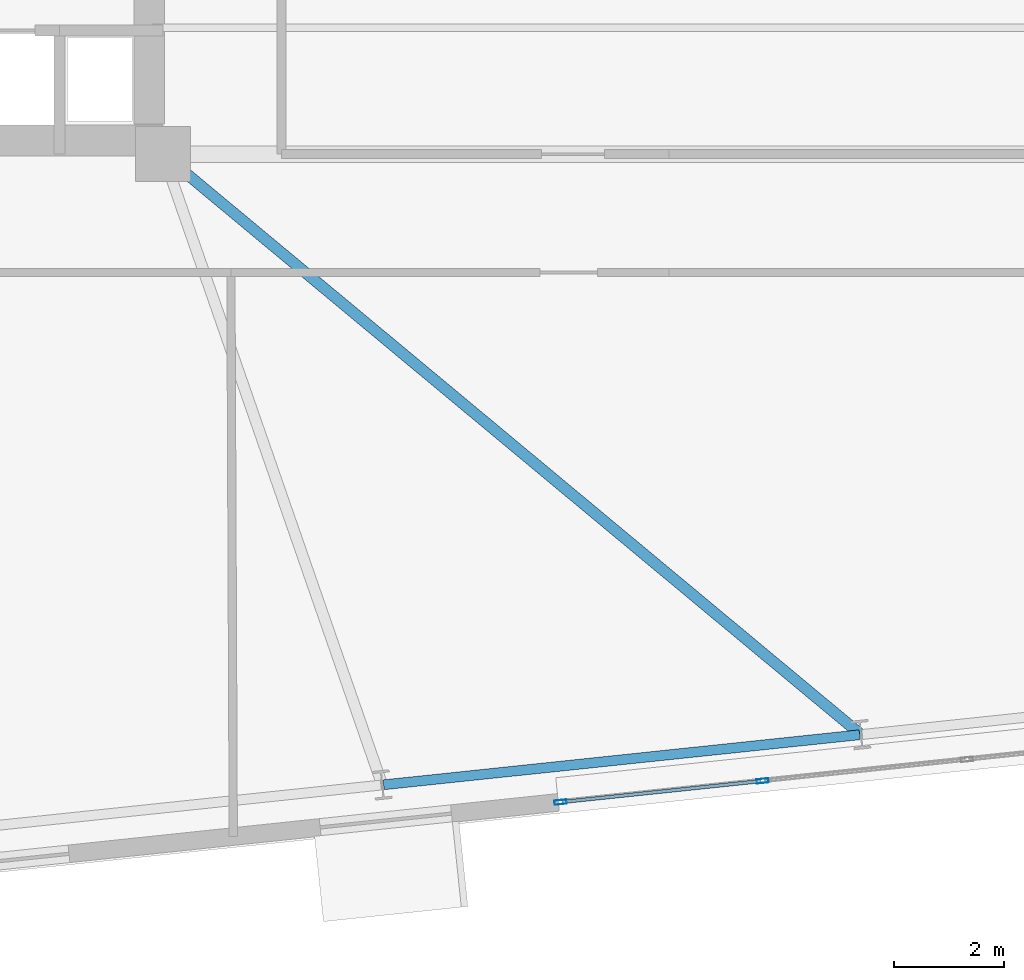
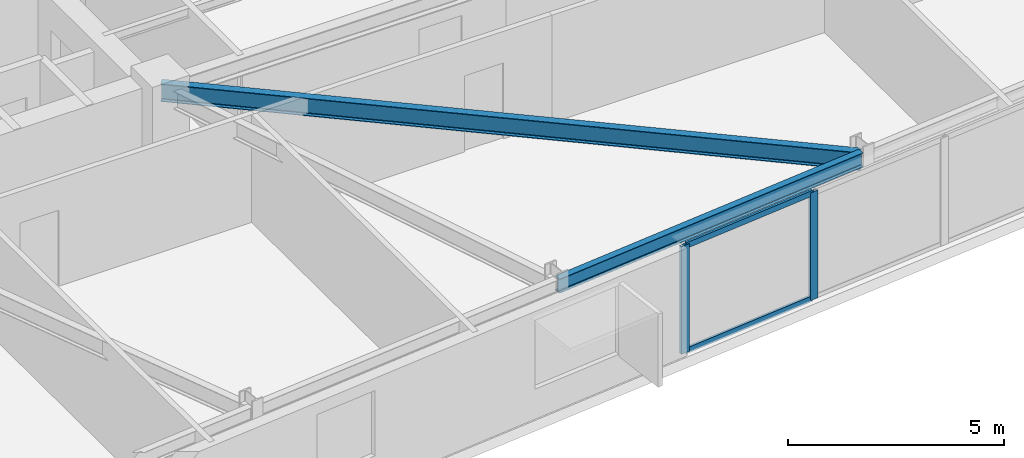
# One storey, part 6 of 22: 4 members, 2 beams, 1 element without a shape of its own.
"""IFC4 building model written with IfcOpenShell, lengths in metres."""

from ifc_helpers import new_model, si_unit, direction, frame, origin, origin_2d, place, context, subcontext, project, spatial, hollow_rectangle, i_section, extrude, material, layer, layer_set, material_profile, profile_set, type_object, element, aggregate, save


model = new_model("IFC4")

# Units and contexts
model_context = context("Model", 3, precision=1e-05, world=origin(), true_north=direction((0.0, 1.0)))
body_context = subcontext(model_context, "Body", "Model", "MODEL_VIEW")
ifc_project = project(units=[si_unit("LENGTHUNIT", "METRE"), si_unit("AREAUNIT", "SQUARE_METRE"), si_unit("VOLUMEUNIT", "CUBIC_METRE"), si_unit("PLANEANGLEUNIT", "RADIAN"), si_unit("MASSUNIT", "GRAM", prefix="KILO")], contexts=[model_context])

# Site, building, storey
site_placement = place(None, origin())
site = spatial("IfcSite", under=ifc_project, at=site_placement, CompositionType="ELEMENT")
building_placement = place(site_placement, origin())
building = spatial("IfcBuilding", under=site, at=building_placement, Name="Qobustan Lattice House", CompositionType="ELEMENT")
storey_placement = place(building_placement, frame((0.0, 0.0, 99.10009765625)))
storey = spatial("IfcBuildingStorey", under=building, at=storey_placement, Name="L27", CompositionType="ELEMENT", Elevation=99.10009765625)

# Beams
ifc_material_1 = material(Name="Steel S355", Category="steel")
ifc_material_profile_1 = material_profile(ifc_material_1, i_section(OverallWidth=0.199951171875, OverallDepth=0.5, WebThickness=0.01025390625, FlangeThickness=0.01611328125, FilletRadius=0.02099609375, at=origin_2d()), Name="IPE500")
ifc_profile_set_1 = profile_set([ifc_material_profile_1], Name="Steel S355")
beam_type_1 = type_object("IfcBeamType", Name="BM-FLG-IPE500", PredefinedType="USERDEFINED", material=ifc_profile_set_1)
beam_1_placement = place(storey_placement, frame((3.467529296875, -16.135009765625, 2.794921875), z_axis=(-0.768858311844, 0.639419186691, 0.0), x_axis=(-0.639419186691, -0.768858311844, 0.0)))
element("IfcBeam", 1, at=beam_1_placement, inside=storey, type_object=beam_type_1, Name="L27 primary floor girder RAD-S4", ObjectType="GIRDER", PredefinedType="USERDEFINED", context=body_context, shape_type="SweptSolid", body=[
    extrude(i_section(OverallWidth=0.199951171875, OverallDepth=0.5, WebThickness=0.01025390625, FlangeThickness=0.01611328125, FilletRadius=0.02099609375, at=origin_2d()), origin(), (0.0, 0.0, 1.0), 16.450927734375),
])
ifc_material_2 = material(Name="Steel S355", Category="steel")
ifc_material_profile_2 = material_profile(ifc_material_2, i_section(OverallWidth=0.179931640625, OverallDepth=0.39990234375, WebThickness=0.008544921875, FlangeThickness=0.013427734375, FilletRadius=0.02099609375, at=origin_2d()), Name="IPE400")
ifc_profile_set_2 = profile_set([ifc_material_profile_2], Name="Steel S355")
beam_type_2 = type_object("IfcBeamType", Name="BM-SPD-IPE400", PredefinedType="SPANDREL", material=ifc_profile_set_2)
beam_2_placement = place(storey_placement, frame((-5.1904296875, -17.06298828125, 2.844970703125), z_axis=(0.994524503348, 0.104503647022, 0.0), x_axis=(-0.104503647022, 0.994524503348, 0.0)))
element("IfcBeam", 2, at=beam_2_placement, inside=storey, type_object=beam_type_2, Name="L27 perimeter spandrel S3-S4", PredefinedType="SPANDREL", context=body_context, shape_type="SweptSolid", body=[
    extrude(i_section(OverallWidth=0.179931640625, OverallDepth=0.39990234375, WebThickness=0.008544921875, FlangeThickness=0.013427734375, FilletRadius=0.02099609375, at=origin_2d()), origin(), (0.0, 0.0, 1.0), 8.699951171875),
])

# Curtain wall, members
ifc_material_3 = material(Name="Anodised aluminium and low-E glazing", Category="aluminium")
ifc_layer = layer(ifc_material_3, 0.219970703125)
ifc_layer_set = layer_set([ifc_layer], Name="Anodised aluminium and low-E glazing")
curtain_wall_type = type_object("IfcCurtainWallType", Name="CW-IWN-01", PredefinedType="USERDEFINED", material=ifc_layer_set)
curtain_wall_placement = place(storey_placement, origin())
curtain_wall = element("IfcCurtainWall", 3, at=curtain_wall_placement, inside=storey, type_object=curtain_wall_type, Name="L27 IWAN-2 walnut-lined iwan curtain wall", ObjectType="CURTAIN WALL", PredefinedType="USERDEFINED")
ifc_material_4 = material(Name="Anodised aluminium EN AW-6063 T6", Category="aluminium")
ifc_material_profile_3 = material_profile(ifc_material_4, hollow_rectangle(XDim=0.080078125, YDim=0.219970703125, WallThickness=0.0048828125, at=origin_2d()), Name="CWM-220x80")
ifc_profile_set_3 = profile_set([ifc_material_profile_3], Name="Anodised aluminium EN AW-6063 T6")
member_type_1 = type_object("IfcMemberType", Name="CWM-MAIN-220", PredefinedType="MULLION", material=ifc_profile_set_3)
member_1_placement = place(storey_placement, frame((1.6982421875, -16.99267578125, 0.0), z_axis=(0.0, 0.0, 1.0), x_axis=(0.104526295675, -0.994522123189, 0.0)))
member_1 = element("IfcMember", 4, at=member_1_placement, type_object=member_type_1, Name="CW-IW mullion 3", PredefinedType="MULLION", context=body_context, shape_type="SweptSolid", body=[
    extrude(hollow_rectangle(XDim=0.080078125, YDim=0.219970703125, WallThickness=0.0048828125, at=origin_2d()), origin(), (0.0, 0.0, 1.0), 3.044921875),
])
member_2_placement = place(storey_placement, frame((-1.974853515625, -17.378662109375, 0.0), z_axis=(0.0, 0.0, 1.0), x_axis=(0.104526295675, -0.994522123189, 0.0)))
member_2 = element("IfcMember", 5, at=member_2_placement, type_object=member_type_1, Name="CW-IW mullion 4", PredefinedType="MULLION", context=body_context, shape_type="SweptSolid", body=[
    extrude(hollow_rectangle(XDim=0.080078125, YDim=0.219970703125, WallThickness=0.0048828125, at=origin_2d()), origin(), (0.0, 0.0, 1.0), 3.044921875),
])
ifc_material_5 = material(Name="Anodised aluminium EN AW-6063 T6", Category="aluminium")
ifc_material_profile_4 = material_profile(ifc_material_5, hollow_rectangle(XDim=0.06494140625, YDim=0.159912109375, WallThickness=0.00390625, at=origin_2d()), Name="CWT-160x65")
ifc_profile_set_4 = profile_set([ifc_material_profile_4], Name="Anodised aluminium EN AW-6063 T6")
member_type_2 = type_object("IfcMemberType", Name="CWT-HOR-160", PredefinedType="USERDEFINED", material=ifc_profile_set_4)
member_3_placement = place(storey_placement, frame((1.658447265625, -16.996826171875, 0.032470703125), z_axis=(-0.99452210074, -0.104526509263, 0.0), x_axis=(0.104526509263, -0.99452210074, 0.0)))
member_3 = element("IfcMember", 6, at=member_3_placement, type_object=member_type_2, Name="CW-IW transom 3.1", ObjectType="TRANSOM", PredefinedType="USERDEFINED", context=body_context, shape_type="SweptSolid", body=[
    extrude(hollow_rectangle(XDim=0.06494140625, YDim=0.159912109375, WallThickness=0.00390625, at=origin_2d()), origin(), (0.0, 0.0, 1.0), 3.61328125),
])
member_4_placement = place(storey_placement, frame((1.658447265625, -16.996826171875, 3.012451171875), z_axis=(-0.99452210074, -0.104526509263, 0.0), x_axis=(0.104526509263, -0.99452210074, 0.0)))
member_4 = element("IfcMember", 7, at=member_4_placement, type_object=member_type_2, Name="CW-IW transom 3.2", ObjectType="TRANSOM", PredefinedType="USERDEFINED", context=body_context, shape_type="SweptSolid", body=[
    extrude(hollow_rectangle(XDim=0.06494140625, YDim=0.159912109375, WallThickness=0.00390625, at=origin_2d()), origin(), (0.0, 0.0, 1.0), 3.61328125),
])
aggregate(curtain_wall, [member_1, member_2, member_3, member_4])

save(model, "model.ifc")
